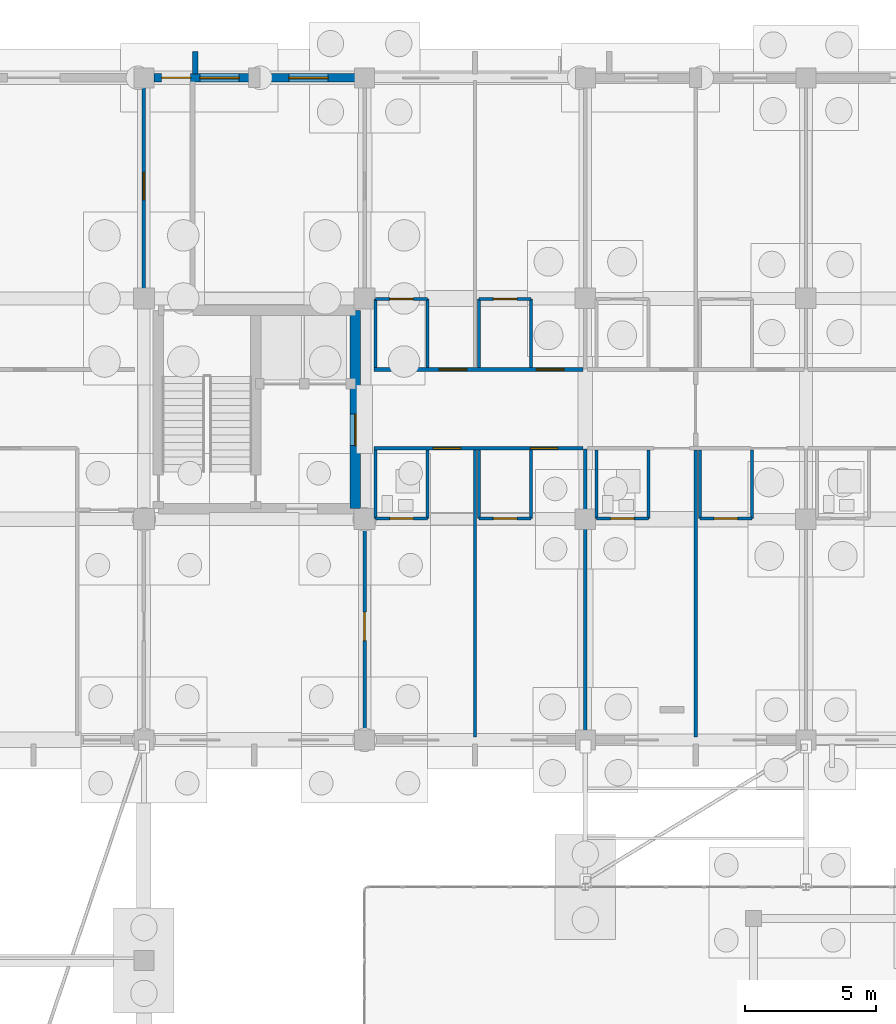
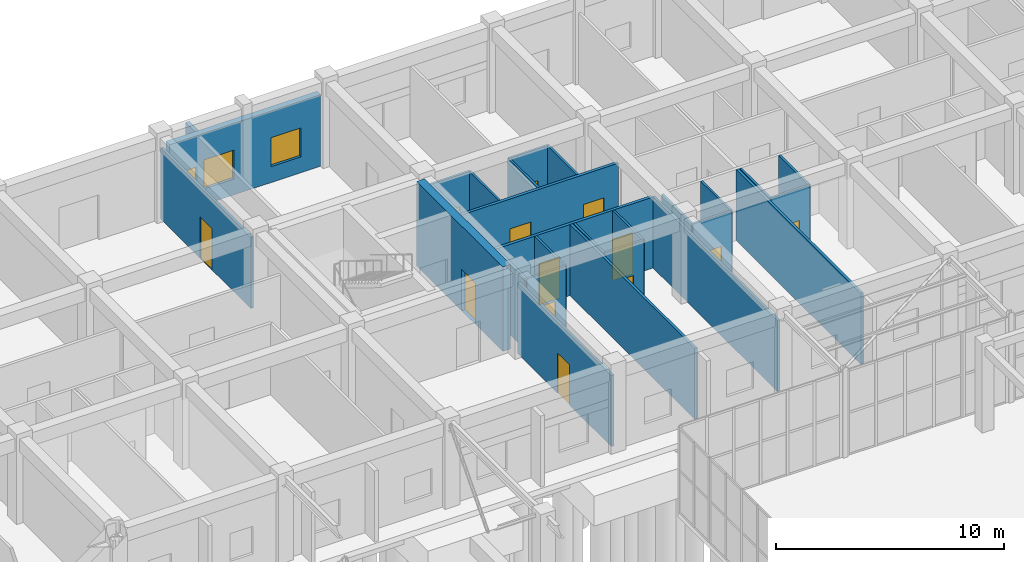
# One storey, part 167 of 192: 28 walls, 14 doors, 2 windows, 16 openings.
"""IFC4 building model written with IfcOpenShell, lengths in metres."""

import ifcopenshell
import ifcopenshell.guid

model = None  # the IFC model being written
_history = None  # IfcOwnerHistory: only IFC2X3 demands one
_inside = {}  # id of a spatial element -> (the spatial element, [elements in it])
_under = {}  # id of a project, library or spatial element -> (it, [spatial elements below it])
_declared = {}  # id of a project -> (the project, [libraries it declares])
_typed = {}  # id of a type object -> (the type object, [elements of that type])
_made_of = {}  # id of a material, layer set ... -> (it, [elements and type objects made of it])


def new_model(schema):
    """Start an empty IFC model of exactly this schema.

    Asked for "IFC4X3", IfcOpenShell would pick the latest addendum, in which some entities
    have other attributes; the version numbers below select the first issue.
    IFC2X3 requires an IfcOwnerHistory on every rooted entity: one is made here for all.
    """
    global model, _history
    if schema == "IFC4X3":
        model = ifcopenshell.file(schema_version=(4, 3, 0, 0))
    else:
        model = ifcopenshell.file(schema=schema)
    _inside.clear()
    _under.clear()
    _declared.clear()
    _typed.clear()
    _made_of.clear()
    _history = None
    if model.schema == "IFC2X3":
        org = make("IfcOrganization", Name="unknown")
        user = make(
            "IfcPersonAndOrganization",
            ThePerson=make("IfcPerson", FamilyName="unknown"),
            TheOrganization=org,
        )
        app = make(
            "IfcApplication",
            ApplicationDeveloper=org,
            Version="unknown",
            ApplicationFullName="unknown",
            ApplicationIdentifier="unknown",
        )
        _history = make(
            "IfcOwnerHistory",
            OwningUser=user,
            OwningApplication=app,
            ChangeAction="ADDED",
            CreationDate=0,
        )
    return model


def make(cls, **values):
    """One entity of the class cls with the attributes given. An attribute that is None is left unset."""
    return model.create_entity(
        cls, **{name: value for name, value in values.items() if value is not None}
    )


def rooted(cls, **values):
    """An entity with a GlobalId (a new one), such as an element, a storey or a relation."""
    return make(cls, GlobalId=ifcopenshell.guid.new(), OwnerHistory=_history, **values)


def si_unit(unit_type, name, prefix=None):
    """IfcSIUnit, for example si_unit("LENGTHUNIT", "METRE", prefix="MILLI")."""
    return make("IfcSIUnit", UnitType=unit_type, Prefix=prefix, Name=name)


def assignment(units):
    """IfcUnitAssignment: the units of a project."""
    return None if units is None else make("IfcUnitAssignment", Units=units)


def point(xyz):
    """IfcCartesianPoint."""
    return None if xyz is None else make("IfcCartesianPoint", Coordinates=xyz)


def direction(xyz):
    """IfcDirection."""
    return None if xyz is None else make("IfcDirection", DirectionRatios=xyz)


def frame(location, z_axis=None, x_axis=None):
    """IfcAxis2Placement3D, a coordinate frame: its origin and axes. An axis left out is left unset."""
    return make(
        "IfcAxis2Placement3D",
        Location=point(location),
        Axis=direction(z_axis),
        RefDirection=direction(x_axis),
    )


def frame_2d(location, x_axis=None):
    """IfcAxis2Placement2D, a coordinate frame in the plane: its origin and x axis."""
    return make(
        "IfcAxis2Placement2D", Location=point(location), RefDirection=direction(x_axis)
    )


def origin():
    """The frame at (0, 0, 0) with its axes left unset."""
    return frame((0.0, 0.0, 0.0))


def place(relative_to, where):
    """IfcLocalPlacement: puts the frame where relative to a parent placement (None: the world)."""
    return make(
        "IfcLocalPlacement", PlacementRelTo=relative_to, RelativePlacement=where
    )


def context(
    kind, dimensions, precision=None, world=None, true_north=None, identifier=None
):
    """IfcGeometricRepresentationContext, for example the 3D "Model" context."""
    return make(
        "IfcGeometricRepresentationContext",
        ContextIdentifier=identifier,
        ContextType=kind,
        CoordinateSpaceDimension=dimensions,
        Precision=precision,
        WorldCoordinateSystem=world,
        TrueNorth=true_north,
    )


def subcontext(parent, identifier, kind, view, scale=None):
    """IfcGeometricRepresentationSubContext, for example "Body" below "Model"."""
    return make(
        "IfcGeometricRepresentationSubContext",
        ContextIdentifier=identifier,
        ContextType=kind,
        ParentContext=parent,
        TargetScale=scale,
        TargetView=view,
    )


def project(units=None, contexts=None):
    """IfcProject with its units and contexts."""
    return rooted(
        "IfcProject",
        Name="project",
        RepresentationContexts=contexts,
        UnitsInContext=assignment(units),
    )


def spatial(cls, under=None, at=None, **own):
    """A site, building, storey or space (cls), placed at a placement, below another one or the project."""
    s = rooted(cls, ObjectPlacement=at, **own)
    if under is not None:
        _under.setdefault(under.id(), (under, []))[1].append(s)
    return s


def profile(cls, at=None, kind="AREA", **sizes):
    """A parametric profile (cls). Its sizes go by their IFC names, for example OverallWidth=200.0."""
    return make(cls, ProfileType=kind, Position=at, **sizes)


def rectangle(**sizes):
    """IfcRectangleProfileDef."""
    return profile("IfcRectangleProfileDef", **sizes)


def extrude(swept, where, along, depth):
    """IfcExtrudedAreaSolid: the profile swept, set in the frame where, extruded along a direction by depth."""
    return make(
        "IfcExtrudedAreaSolid",
        SweptArea=swept,
        Position=where,
        ExtrudedDirection=direction(along),
        Depth=depth,
    )


def shape(context_of_items, identifier, shape_type, items):
    """IfcShapeRepresentation: the items that make up one representation, for example the "Body"."""
    return make(
        "IfcShapeRepresentation",
        ContextOfItems=context_of_items,
        RepresentationIdentifier=identifier,
        RepresentationType=shape_type,
        Items=items,
    )


def material(Name=None, Category=None):
    """IfcMaterial."""
    return make("IfcMaterial", Name=Name, Category=Category)


def layer(
    of_material, thickness, ventilated=None, Name=None, Category=None, Priority=None
):
    """IfcMaterialLayer: one layer of a wall or slab, of a material (None: an air gap)."""
    return make(
        "IfcMaterialLayer",
        Material=of_material,
        LayerThickness=thickness,
        IsVentilated=ventilated,
        Name=Name,
        Category=Category,
        Priority=Priority,
    )


def layer_set(layers, Name=None):
    """IfcMaterialLayerSet."""
    return make("IfcMaterialLayerSet", MaterialLayers=layers, LayerSetName=Name)


def made_of(thing, what):
    """Note that an element or type object is made of a material, layer set ...; save() writes the relation."""
    if what is not None:
        _made_of.setdefault(what.id(), (what, []))[1].append(thing)
    return thing


def type_object(cls, material=None, **own):
    """A type object (cls), such as IfcWallType, which elements share."""
    return made_of(rooted(cls, **own), material)


def element(
    cls,
    number,
    at=None,
    inside=None,
    cuts=None,
    type_object=None,
    material=None,
    context=None,
    identifier="Body",
    shape_type=None,
    held_by="IfcProductDefinitionShape",
    body=None,
    shapes=None,
    **own,
):
    """One element of the class cls, such as IfcWall. Its Tag is "e" and its number.

    at: its placement. inside: the storey or other place that contains it. cuts: it is an
    opening in that element (IfcRelVoidsElement). A single representation is given by context,
    identifier, shape_type and body (its items); several are given by shapes. held_by: the class
    of the entity that holds the representations. save() writes the other relations.
    """
    e = rooted(cls, Tag="e%d" % number, ObjectPlacement=at, **own)
    if body is not None:
        shapes = [shape(context, identifier, shape_type, body)]
    if shapes is not None:
        e.Representation = make(held_by, Representations=shapes)
    if inside is not None:
        _inside.setdefault(inside.id(), (inside, []))[1].append(e)
    if cuts is not None:
        rooted(
            "IfcRelVoidsElement", RelatingBuildingElement=cuts, RelatedOpeningElement=e
        )
    if type_object is not None:
        _typed.setdefault(type_object.id(), (type_object, []))[1].append(e)
    return made_of(e, material)


def fill(opening, filler):
    """IfcRelFillsElement: the door or window that sits in an opening."""
    return rooted(
        "IfcRelFillsElement",
        RelatingOpeningElement=opening,
        RelatedBuildingElement=filler,
    )


def aggregate(whole, parts):
    """IfcRelAggregates: a whole, such as a stair, and the parts it consists of."""
    return rooted("IfcRelAggregates", RelatingObject=whole, RelatedObjects=parts)


def save(model, path):
    """Write the relations noted so far, then the file.

    IfcRelAggregates (storeys below a building ...), IfcRelContainedInSpatialStructure (elements
    in a storey), IfcRelDefinesByType, IfcRelAssociatesMaterial and IfcRelDeclares: one each for
    every whole, place, type object, material and project.
    """
    for whole, parts in _under.values():
        aggregate(whole, parts)
    for where, things in _inside.values():
        rooted(
            "IfcRelContainedInSpatialStructure",
            RelatedElements=things,
            RelatingStructure=where,
        )
    for kind, things in _typed.values():
        rooted("IfcRelDefinesByType", RelatedObjects=things, RelatingType=kind)
    for what, things in _made_of.values():
        rooted("IfcRelAssociatesMaterial", RelatedObjects=things, RelatingMaterial=what)
    for by, libraries in _declared.values():
        rooted("IfcRelDeclares", RelatingContext=by, RelatedDefinitions=libraries)
    model.write(path)


model = new_model("IFC4")

# Units and contexts
model_context = context("Model", 3, precision=1e-05, world=origin(), true_north=direction((0.0, 1.0)))
body_context = subcontext(model_context, "Body", "Model", "MODEL_VIEW")
ifc_project = project(units=[si_unit("LENGTHUNIT", "METRE"), si_unit("AREAUNIT", "SQUARE_METRE"), si_unit("VOLUMEUNIT", "CUBIC_METRE"), si_unit("PLANEANGLEUNIT", "RADIAN"), si_unit("MASSUNIT", "GRAM", prefix="KILO")], contexts=[model_context])

# Site, building, storey
site_placement = place(None, origin())
site = spatial("IfcSite", under=ifc_project, at=site_placement, CompositionType="ELEMENT")
building_placement = place(site_placement, origin())
building = spatial("IfcBuilding", under=site, at=building_placement, Name="Trelvath General Hospital", CompositionType="ELEMENT")
storey_placement = place(building_placement, origin())
storey = spatial("IfcBuildingStorey", under=building, at=storey_placement, Name="L00", CompositionType="ELEMENT", Elevation=0.0)

# Wall
ifc_material_1 = material(Name="Precast concrete C40/50", Category="concrete")
ifc_layer_1 = layer(ifc_material_1, 0.199951171875)
ifc_layer_set_1 = layer_set([ifc_layer_1], Name="Precast concrete C40/50")
wall_type_1 = type_object("IfcWallType", Name="BriseSoleilRib 200", PredefinedType="ELEMENTEDWALL", material=ifc_layer_set_1)
wall_1_placement = place(storey_placement, frame((85.955078125, 117.75, 0.0), z_axis=(0.0, 0.0, 1.0), x_axis=(0.0, 1.0, 0.0)))
element("IfcWall", 1, at=wall_1_placement, inside=storey, type_object=wall_type_1, Name="Precast Concrete Brise-Soleil Rib Fin L00-39", PredefinedType="ELEMENTEDWALL", context=body_context, shape_type="SweptSolid", body=[
    extrude(rectangle(XDim=0.85009765625, YDim=0.199951171875, at=frame_2d((0.425048828125, 0.0))), origin(), (0.0, 0.0, 1.0), 3.800048828125),
])

# Wall, openings, doors
ifc_material_2 = material(Name="Gypsum acoustic steel-stud partition", Category="steel")
ifc_layer_2 = layer(ifc_material_2, 0.14990234375)
ifc_layer_set_2 = layer_set([ifc_layer_2], Name="Gypsum acoustic steel-stud partition")
wall_type_2 = type_object("IfcWallType", Name="ClinicalPartition 150", PredefinedType="PARTITIONING", material=ifc_layer_set_2)
wall_2_placement = place(storey_placement, frame((92.760009765625, 103.5, 0.0), z_axis=(0.0, 0.0, 1.0), x_axis=(1.0, 0.0, 0.0)))
wall_2 = element("IfcWall", 2, at=wall_2_placement, inside=storey, type_object=wall_type_2, Name="Corridor Partition L00-250", PredefinedType="PARTITIONING", context=body_context, shape_type="SweptSolid", body=[
    extrude(rectangle(XDim=7.9599609375, YDim=0.14990234375, at=frame_2d((3.97998046875, 0.0))), origin(), (0.0, 0.0, 1.0), 3.800048828125),
])
opening_1_placement = place(wall_2_placement, frame((2.25, 0.0, 0.0)))
opening_1 = element("IfcOpeningElement", 3, at=opening_1_placement, cuts=wall_2, Name="Opening D-0-0406", PredefinedType="OPENING", context=body_context, shape_type="SweptSolid", body=[
    extrude(rectangle(XDim=1.050048828125, YDim=2.199951171875, at=frame_2d((0.52490234375, 1.10009765625))), frame((0.0, 0.0849609375, 0.0), z_axis=(0.0, -1.0, 0.0), x_axis=(1.0, 0.0, 0.0)), (0.0, 0.0, 1.0), 0.169921875),
])
opening_2_placement = place(wall_2_placement, frame((5.949951171875, 0.0, 0.0)))
opening_2 = element("IfcOpeningElement", 4, at=opening_2_placement, cuts=wall_2, Name="Opening D-0-0407", PredefinedType="OPENING", context=body_context, shape_type="SweptSolid", body=[
    extrude(rectangle(XDim=1.050048828125, YDim=2.199951171875, at=frame_2d((0.52490234375, 1.10009765625))), frame((0.0, 0.0849609375, 0.0), z_axis=(0.0, -1.0, 0.0), x_axis=(1.0, 0.0, 0.0)), (0.0, 0.0, 1.0), 0.169921875),
])
ifc_material_3 = material(Name="Acoustic hospital timber leaf", Category="wood")
door_type_1 = type_object("IfcDoorType", Name="Door Consult 1050x2200", OperationType="NOTDEFINED", PredefinedType="DOOR", material=ifc_material_3)
door_1_placement = place(opening_1_placement, origin())
door_1 = element("IfcDoor", 5, at=door_1_placement, inside=storey, type_object=door_type_1, Name="Patient Room Door L00-406", OperationType="SINGLE_SWING_LEFT", OverallHeight=2.199951171875, OverallWidth=1.050048828125, PredefinedType="DOOR", context=body_context, shape_type="SweptSolid", body=[
    extrude(rectangle(XDim=1.050048828125, YDim=2.199951171875, at=frame_2d((0.52490234375, 1.10009765625))), frame((0.0, 0.02490234375, 0.0), z_axis=(0.0, -1.0, 0.0), x_axis=(1.0, 0.0, 0.0)), (0.0, 0.0, 1.0), 0.050048828125),
])
fill(opening_1, door_1)
door_2_placement = place(opening_2_placement, origin())
door_2 = element("IfcDoor", 6, at=door_2_placement, inside=storey, type_object=door_type_1, Name="Patient Room Door L00-407", OperationType="SINGLE_SWING_RIGHT", OverallHeight=2.199951171875, OverallWidth=1.050048828125, PredefinedType="DOOR", context=body_context, shape_type="SweptSolid", body=[
    extrude(rectangle(XDim=1.050048828125, YDim=2.199951171875, at=frame_2d((0.52490234375, 1.10009765625))), frame((0.0, 0.02490234375, 0.0), z_axis=(0.0, -1.0, 0.0), x_axis=(1.0, 0.0, 0.0)), (0.0, 0.0, 1.0), 0.050048828125),
])
fill(opening_2, door_2)

wall_3_placement = place(storey_placement, frame((100.719970703125, 106.5, 0.0), z_axis=(0.0, 0.0, 1.0), x_axis=(-1.0, 0.0, 0.0)))
wall_3 = element("IfcWall", 7, at=wall_3_placement, inside=storey, type_object=wall_type_2, Name="Corridor Partition N L00-258", PredefinedType="PARTITIONING", context=body_context, shape_type="SweptSolid", body=[
    extrude(rectangle(XDim=7.9599609375, YDim=0.14990234375, at=frame_2d((3.97998046875, 0.0))), origin(), (0.0, 0.0, 1.0), 3.800048828125),
])
opening_3_placement = place(wall_3_placement, frame((0.72998046875, 0.0, 0.0)))
opening_3 = element("IfcOpeningElement", 8, at=opening_3_placement, cuts=wall_3, Name="Opening D-0-0410", PredefinedType="OPENING", context=body_context, shape_type="SweptSolid", body=[
    extrude(rectangle(XDim=1.050048828125, YDim=2.199951171875, at=frame_2d((0.52490234375, 1.10009765625))), frame((0.0, 0.0849609375, 0.0), z_axis=(0.0, -1.0, 0.0), x_axis=(1.0, 0.0, 0.0)), (0.0, 0.0, 1.0), 0.169921875),
])
opening_4_placement = place(wall_3_placement, frame((4.429931640625, 0.0, 0.0)))
opening_4 = element("IfcOpeningElement", 9, at=opening_4_placement, cuts=wall_3, Name="Opening D-0-0411", PredefinedType="OPENING", context=body_context, shape_type="SweptSolid", body=[
    extrude(rectangle(XDim=1.050048828125, YDim=2.199951171875, at=frame_2d((0.52490234375, 1.10009765625))), frame((0.0, 0.0849609375, 0.0), z_axis=(0.0, -1.0, 0.0), x_axis=(1.0, 0.0, 0.0)), (0.0, 0.0, 1.0), 0.169921875),
])
door_3_placement = place(opening_3_placement, origin())
door_3 = element("IfcDoor", 10, at=door_3_placement, inside=storey, type_object=door_type_1, Name="Patient Room Door N L00-410", OperationType="SINGLE_SWING_LEFT", OverallHeight=2.199951171875, OverallWidth=1.050048828125, PredefinedType="DOOR", context=body_context, shape_type="SweptSolid", body=[
    extrude(rectangle(XDim=1.050048828125, YDim=2.199951171875, at=frame_2d((0.52490234375, 1.10009765625))), frame((0.0, 0.02490234375, 0.0), z_axis=(0.0, -1.0, 0.0), x_axis=(1.0, 0.0, 0.0)), (0.0, 0.0, 1.0), 0.050048828125),
])
fill(opening_3, door_3)
door_4_placement = place(opening_4_placement, origin())
door_4 = element("IfcDoor", 11, at=door_4_placement, inside=storey, type_object=door_type_1, Name="Patient Room Door N L00-411", OperationType="SINGLE_SWING_LEFT", OverallHeight=2.199951171875, OverallWidth=1.050048828125, PredefinedType="DOOR", context=body_context, shape_type="SweptSolid", body=[
    extrude(rectangle(XDim=1.050048828125, YDim=2.199951171875, at=frame_2d((0.52490234375, 1.10009765625))), frame((0.0, 0.02490234375, 0.0), z_axis=(0.0, -1.0, 0.0), x_axis=(1.0, 0.0, 0.0)), (0.0, 0.0, 1.0), 0.050048828125),
])
fill(opening_4, door_4)

# Wall, opening, door
ifc_material_4 = material(Name="Concrete C40/50", Category="concrete")
ifc_layer_3 = layer(ifc_material_4, 0.39990234375)
ifc_layer_set_3 = layer_set([ifc_layer_3], Name="Concrete C40/50")
wall_type_3 = type_object("IfcWallType", Name="CoreShearWall 400", PredefinedType="SHEAR", material=ifc_layer_set_3)
wall_4_placement = place(storey_placement, frame((92.050048828125, 101.199951171875, 0.0), z_axis=(0.0, 0.0, 1.0), x_axis=(0.0, 1.0, 0.0)))
wall_4 = element("IfcWall", 12, at=wall_4_placement, inside=storey, type_object=wall_type_3, Name="Core Shear Wall C2 E L00", PredefinedType="SHEAR", context=body_context, shape_type="SweptSolid", body=[
    extrude(rectangle(XDim=7.550048828125, YDim=0.39990234375, at=frame_2d((3.77490234375, 0.0))), origin(), (0.0, 0.0, 1.0), 4.52001953125),
])
opening_5_placement = place(wall_4_placement, frame((2.39990234375, 0.0, 0.0)))
opening_5 = element("IfcOpeningElement", 13, at=opening_5_placement, cuts=wall_4, Name="Opening FD-LE20", PredefinedType="OPENING", context=body_context, shape_type="SweptSolid", body=[
    extrude(rectangle(XDim=1.199951171875, YDim=2.199951171875, at=frame_2d((0.60009765625, 1.10009765625))), frame((0.0, 0.2099609375, 0.0), z_axis=(0.0, -1.0, 0.0), x_axis=(1.0, 0.0, 0.0)), (0.0, 0.0, 1.0), 0.419921875),
])
ifc_material_5 = material(Name="Fire-rated steel door", Category="steel")
door_type_2 = type_object("IfcDoorType", Name="Door FireLobby 1200x2200", OperationType="NOTDEFINED", PredefinedType="DOOR", material=ifc_material_5)
door_5_placement = place(opening_5_placement, origin())
door_5 = element("IfcDoor", 14, at=door_5_placement, inside=storey, type_object=door_type_2, Name="Fire Lobby East Corridor Door C2 L00", OperationType="SINGLE_SWING_LEFT", OverallHeight=2.199951171875, OverallWidth=1.199951171875, PredefinedType="DOOR", context=body_context, shape_type="SweptSolid", body=[
    extrude(rectangle(XDim=1.199951171875, YDim=2.199951171875, at=frame_2d((0.60009765625, 1.10009765625))), frame((0.0, 0.02490234375, 0.0), z_axis=(0.0, -1.0, 0.0), x_axis=(1.0, 0.0, 0.0)), (0.0, 0.0, 1.0), 0.050048828125),
])
fill(opening_5, door_5)

# Walls
ifc_material_6 = material(Name="Moisture-resistant tile partition")
ifc_layer_4 = layer(ifc_material_6, 0.110107421875)
ifc_layer_set_4 = layer_set([ifc_layer_4], Name="Moisture-resistant tile partition")
wall_type_4 = type_object("IfcWallType", Name="EnSuiteWetWall 110", PredefinedType="PARTITIONING", material=ifc_layer_set_4)
for number, where, z_axis, x_axis, name in (
    (15, (92.820068359375, 100.820068359375, 0.0), (0.0, 0.0, 1.0), (0.0, 1.0, 0.0), "En-Suite W Wall L00-252"),
    (16, (94.800048828125, 100.820068359375, 0.0), (0.0, 0.0, 1.0), (0.0, 1.0, 0.0), "En-Suite E Wall L00-253"),
):
    element("IfcWall", number, at=place(storey_placement, frame(where, z_axis=z_axis, x_axis=x_axis)), inside=storey, type_object=wall_type_4, Name=name, PredefinedType="PARTITIONING", context=body_context, shape_type="SweptSolid", body=[
        extrude(rectangle(XDim=2.60986328125, YDim=0.110107421875, at=frame_2d((1.304931640625, 0.0))), origin(), (0.0, 0.0, 1.0), 3.800048828125),
    ])

# Wall, opening, door
wall_5_placement = place(storey_placement, frame((92.820068359375, 100.820068359375, 0.0), z_axis=(0.0, 0.0, 1.0), x_axis=(1.0, 0.0, 0.0)))
wall_5 = element("IfcWall", 17, at=wall_5_placement, inside=storey, type_object=wall_type_4, Name="En-Suite Bathroom Partition L00-254", PredefinedType="PARTITIONING", context=body_context, shape_type="SweptSolid", body=[
    extrude(rectangle(XDim=1.97998046875, YDim=0.110107421875, at=frame_2d((0.989990234375, 0.0))), origin(), (0.0, 0.0, 1.0), 3.800048828125),
])
opening_6_placement = place(wall_5_placement, frame((0.5400390625, 0.0, 0.0)))
opening_6 = element("IfcOpeningElement", 18, at=opening_6_placement, cuts=wall_5, Name="Opening D-0-0408", PredefinedType="OPENING", context=body_context, shape_type="SweptSolid", body=[
    extrude(rectangle(XDim=0.89990234375, YDim=2.10009765625, at=frame_2d((0.449951171875, 1.050048828125))), frame((0.0, 0.06494140625, 0.0), z_axis=(0.0, -1.0, 0.0), x_axis=(1.0, 0.0, 0.0)), (0.0, 0.0, 1.0), 0.130126953125),
])
ifc_material_7 = material(Name="Moisture-sealed timber leaf", Category="wood")
door_type_3 = type_object("IfcDoorType", Name="Door EnSuite 900x2100", OperationType="NOTDEFINED", PredefinedType="DOOR", material=ifc_material_7)
door_6_placement = place(opening_6_placement, origin())
door_6 = element("IfcDoor", 19, at=door_6_placement, inside=storey, type_object=door_type_3, Name="En-Suite Bathroom Door L00-408", OperationType="SINGLE_SWING_LEFT", OverallHeight=2.10009765625, OverallWidth=0.89990234375, PredefinedType="DOOR", context=body_context, shape_type="SweptSolid", body=[
    extrude(rectangle(XDim=0.89990234375, YDim=2.10009765625, at=frame_2d((0.449951171875, 1.050048828125))), frame((0.0, 0.02490234375, 0.0), z_axis=(0.0, -1.0, 0.0), x_axis=(1.0, 0.0, 0.0)), (0.0, 0.0, 1.0), 0.050048828125),
])
fill(opening_6, door_6)

# Walls
for number, where, z_axis, x_axis, name in (
    (20, (96.760009765625, 100.820068359375, 0.0), (0.0, 0.0, 1.0), (0.0, 1.0, 0.0), "En-Suite W Wall L00-255"),
    (21, (98.739990234375, 100.820068359375, 0.0), (0.0, 0.0, 1.0), (0.0, 1.0, 0.0), "En-Suite E Wall L00-256"),
):
    element("IfcWall", number, at=place(storey_placement, frame(where, z_axis=z_axis, x_axis=x_axis)), inside=storey, type_object=wall_type_4, Name=name, PredefinedType="PARTITIONING", context=body_context, shape_type="SweptSolid", body=[
        extrude(rectangle(XDim=2.60986328125, YDim=0.110107421875, at=frame_2d((1.304931640625, 0.0))), origin(), (0.0, 0.0, 1.0), 3.800048828125),
    ])

# Wall, opening, door
wall_6_placement = place(storey_placement, frame((96.760009765625, 100.820068359375, 0.0), z_axis=(0.0, 0.0, 1.0), x_axis=(1.0, 0.0, 0.0)))
wall_6 = element("IfcWall", 22, at=wall_6_placement, inside=storey, type_object=wall_type_4, Name="En-Suite Bathroom Partition L00-257", PredefinedType="PARTITIONING", context=body_context, shape_type="SweptSolid", body=[
    extrude(rectangle(XDim=1.97998046875, YDim=0.110107421875, at=frame_2d((0.989990234375, 0.0))), origin(), (0.0, 0.0, 1.0), 3.800048828125),
])
opening_7_placement = place(wall_6_placement, frame((0.5400390625, 0.0, 0.0)))
opening_7 = element("IfcOpeningElement", 23, at=opening_7_placement, cuts=wall_6, Name="Opening D-0-0409", PredefinedType="OPENING", context=body_context, shape_type="SweptSolid", body=[
    extrude(rectangle(XDim=0.89990234375, YDim=2.10009765625, at=frame_2d((0.449951171875, 1.050048828125))), frame((0.0, 0.06494140625, 0.0), z_axis=(0.0, -1.0, 0.0), x_axis=(1.0, 0.0, 0.0)), (0.0, 0.0, 1.0), 0.130126953125),
])
door_7_placement = place(opening_7_placement, origin())
door_7 = element("IfcDoor", 24, at=door_7_placement, inside=storey, type_object=door_type_3, Name="En-Suite Bathroom Door L00-409", OperationType="SINGLE_SWING_RIGHT", OverallHeight=2.10009765625, OverallWidth=0.89990234375, PredefinedType="DOOR", context=body_context, shape_type="SweptSolid", body=[
    extrude(rectangle(XDim=0.89990234375, YDim=2.10009765625, at=frame_2d((0.449951171875, 1.050048828125))), frame((0.0, 0.02490234375, 0.0), z_axis=(0.0, -1.0, 0.0), x_axis=(1.0, 0.0, 0.0)), (0.0, 0.0, 1.0), 0.050048828125),
])
fill(opening_7, door_7)

# Walls
for number, where, z_axis, x_axis, name in (
    (25, (92.820068359375, 106.570068359375, 0.0), (0.0, 0.0, 1.0), (0.0, 1.0, 0.0), "En-Suite W Wall N L00-260"),
    (26, (94.800048828125, 106.570068359375, 0.0), (0.0, 0.0, 1.0), (0.0, 1.0, 0.0), "En-Suite E Wall N L00-261"),
):
    element("IfcWall", number, at=place(storey_placement, frame(where, z_axis=z_axis, x_axis=x_axis)), inside=storey, type_object=wall_type_4, Name=name, PredefinedType="PARTITIONING", context=body_context, shape_type="SweptSolid", body=[
        extrude(rectangle(XDim=2.60986328125, YDim=0.110107421875, at=frame_2d((1.304931640625, 0.0))), origin(), (0.0, 0.0, 1.0), 3.800048828125),
    ])

# Wall, opening, door
wall_7_placement = place(storey_placement, frame((92.820068359375, 109.179931640625, 0.0), z_axis=(0.0, 0.0, 1.0), x_axis=(1.0, 0.0, 0.0)))
wall_7 = element("IfcWall", 27, at=wall_7_placement, inside=storey, type_object=wall_type_4, Name="En-Suite Bathroom N Partition L00-262", PredefinedType="PARTITIONING", context=body_context, shape_type="SweptSolid", body=[
    extrude(rectangle(XDim=1.97998046875, YDim=0.110107421875, at=frame_2d((0.989990234375, 0.0))), origin(), (0.0, 0.0, 1.0), 3.800048828125),
])
opening_8_placement = place(wall_7_placement, frame((0.5400390625, 0.0, 0.0)))
opening_8 = element("IfcOpeningElement", 28, at=opening_8_placement, cuts=wall_7, Name="Opening D-0-0412", PredefinedType="OPENING", context=body_context, shape_type="SweptSolid", body=[
    extrude(rectangle(XDim=0.89990234375, YDim=2.10009765625, at=frame_2d((0.449951171875, 1.050048828125))), frame((0.0, 0.06494140625, 0.0), z_axis=(0.0, -1.0, 0.0), x_axis=(1.0, 0.0, 0.0)), (0.0, 0.0, 1.0), 0.130126953125),
])
door_8_placement = place(opening_8_placement, origin())
door_8 = element("IfcDoor", 29, at=door_8_placement, inside=storey, type_object=door_type_3, Name="En-Suite Bathroom N Door L00-412", OperationType="SINGLE_SWING_RIGHT", OverallHeight=2.10009765625, OverallWidth=0.89990234375, PredefinedType="DOOR", context=body_context, shape_type="SweptSolid", body=[
    extrude(rectangle(XDim=0.89990234375, YDim=2.10009765625, at=frame_2d((0.449951171875, 1.050048828125))), frame((0.0, 0.02490234375, 0.0), z_axis=(0.0, -1.0, 0.0), x_axis=(1.0, 0.0, 0.0)), (0.0, 0.0, 1.0), 0.050048828125),
])
fill(opening_8, door_8)

# Walls
for number, where, z_axis, x_axis, name in (
    (30, (96.760009765625, 106.570068359375, 0.0), (0.0, 0.0, 1.0), (0.0, 1.0, 0.0), "En-Suite W Wall N L00-263"),
    (31, (98.739990234375, 106.570068359375, 0.0), (0.0, 0.0, 1.0), (0.0, 1.0, 0.0), "En-Suite E Wall N L00-264"),
):
    element("IfcWall", number, at=place(storey_placement, frame(where, z_axis=z_axis, x_axis=x_axis)), inside=storey, type_object=wall_type_4, Name=name, PredefinedType="PARTITIONING", context=body_context, shape_type="SweptSolid", body=[
        extrude(rectangle(XDim=2.60986328125, YDim=0.110107421875, at=frame_2d((1.304931640625, 0.0))), origin(), (0.0, 0.0, 1.0), 3.800048828125),
    ])

# Wall, opening, door
wall_8_placement = place(storey_placement, frame((96.760009765625, 109.179931640625, 0.0), z_axis=(0.0, 0.0, 1.0), x_axis=(1.0, 0.0, 0.0)))
wall_8 = element("IfcWall", 32, at=wall_8_placement, inside=storey, type_object=wall_type_4, Name="En-Suite Bathroom N Partition L00-265", PredefinedType="PARTITIONING", context=body_context, shape_type="SweptSolid", body=[
    extrude(rectangle(XDim=1.97998046875, YDim=0.110107421875, at=frame_2d((0.989990234375, 0.0))), origin(), (0.0, 0.0, 1.0), 3.800048828125),
])
opening_9_placement = place(wall_8_placement, frame((0.5400390625, 0.0, 0.0)))
opening_9 = element("IfcOpeningElement", 33, at=opening_9_placement, cuts=wall_8, Name="Opening D-0-0413", PredefinedType="OPENING", context=body_context, shape_type="SweptSolid", body=[
    extrude(rectangle(XDim=0.89990234375, YDim=2.10009765625, at=frame_2d((0.449951171875, 1.050048828125))), frame((0.0, 0.06494140625, 0.0), z_axis=(0.0, -1.0, 0.0), x_axis=(1.0, 0.0, 0.0)), (0.0, 0.0, 1.0), 0.130126953125),
])
door_9_placement = place(opening_9_placement, origin())
door_9 = element("IfcDoor", 34, at=door_9_placement, inside=storey, type_object=door_type_3, Name="En-Suite Bathroom N Door L00-413", OperationType="SINGLE_SWING_LEFT", OverallHeight=2.10009765625, OverallWidth=0.89990234375, PredefinedType="DOOR", context=body_context, shape_type="SweptSolid", body=[
    extrude(rectangle(XDim=0.89990234375, YDim=2.10009765625, at=frame_2d((0.449951171875, 1.050048828125))), frame((0.0, 0.02490234375, 0.0), z_axis=(0.0, -1.0, 0.0), x_axis=(1.0, 0.0, 0.0)), (0.0, 0.0, 1.0), 0.050048828125),
])
fill(opening_9, door_9)

# Walls
for number, where, z_axis, x_axis, name in (
    (35, (101.219970703125, 100.820068359375, 0.0), (0.0, 0.0, 1.0), (0.0, 1.0, 0.0), "En-Suite W Wall L00-270"),
    (36, (103.199951171875, 100.820068359375, 0.0), (0.0, 0.0, 1.0), (0.0, 1.0, 0.0), "En-Suite E Wall L00-271"),
):
    element("IfcWall", number, at=place(storey_placement, frame(where, z_axis=z_axis, x_axis=x_axis)), inside=storey, type_object=wall_type_4, Name=name, PredefinedType="PARTITIONING", context=body_context, shape_type="SweptSolid", body=[
        extrude(rectangle(XDim=2.60986328125, YDim=0.110107421875, at=frame_2d((1.304931640625, 0.0))), origin(), (0.0, 0.0, 1.0), 3.800048828125),
    ])

# Wall, opening, door
wall_9_placement = place(storey_placement, frame((101.219970703125, 100.820068359375, 0.0), z_axis=(0.0, 0.0, 1.0), x_axis=(1.0, 0.0, 0.0)))
wall_9 = element("IfcWall", 37, at=wall_9_placement, inside=storey, type_object=wall_type_4, Name="En-Suite Bathroom Partition L00-272", PredefinedType="PARTITIONING", context=body_context, shape_type="SweptSolid", body=[
    extrude(rectangle(XDim=1.97998046875, YDim=0.110107421875, at=frame_2d((0.989990234375, 0.0))), origin(), (0.0, 0.0, 1.0), 3.800048828125),
])
opening_10_placement = place(wall_9_placement, frame((0.5400390625, 0.0, 0.0)))
opening_10 = element("IfcOpeningElement", 38, at=opening_10_placement, cuts=wall_9, Name="Opening D-0-0416", PredefinedType="OPENING", context=body_context, shape_type="SweptSolid", body=[
    extrude(rectangle(XDim=0.89990234375, YDim=2.10009765625, at=frame_2d((0.449951171875, 1.050048828125))), frame((0.0, 0.06494140625, 0.0), z_axis=(0.0, -1.0, 0.0), x_axis=(1.0, 0.0, 0.0)), (0.0, 0.0, 1.0), 0.130126953125),
])
door_10_placement = place(opening_10_placement, origin())
door_10 = element("IfcDoor", 39, at=door_10_placement, inside=storey, type_object=door_type_3, Name="En-Suite Bathroom Door L00-416", OperationType="SINGLE_SWING_RIGHT", OverallHeight=2.10009765625, OverallWidth=0.89990234375, PredefinedType="DOOR", context=body_context, shape_type="SweptSolid", body=[
    extrude(rectangle(XDim=0.89990234375, YDim=2.10009765625, at=frame_2d((0.449951171875, 1.050048828125))), frame((0.0, 0.02490234375, 0.0), z_axis=(0.0, -1.0, 0.0), x_axis=(1.0, 0.0, 0.0)), (0.0, 0.0, 1.0), 0.050048828125),
])
fill(opening_10, door_10)

# Walls
for number, where, z_axis, x_axis, name in (
    (40, (105.159912109375, 100.820068359375, 0.0), (0.0, 0.0, 1.0), (0.0, 1.0, 0.0), "En-Suite W Wall L00-273"),
    (41, (107.139892578125, 100.820068359375, 0.0), (0.0, 0.0, 1.0), (0.0, 1.0, 0.0), "En-Suite E Wall L00-274"),
):
    element("IfcWall", number, at=place(storey_placement, frame(where, z_axis=z_axis, x_axis=x_axis)), inside=storey, type_object=wall_type_4, Name=name, PredefinedType="PARTITIONING", context=body_context, shape_type="SweptSolid", body=[
        extrude(rectangle(XDim=2.60986328125, YDim=0.110107421875, at=frame_2d((1.304931640625, 0.0))), origin(), (0.0, 0.0, 1.0), 3.800048828125),
    ])

# Wall, opening, door
wall_10_placement = place(storey_placement, frame((105.159912109375, 100.820068359375, 0.0), z_axis=(0.0, 0.0, 1.0), x_axis=(1.0, 0.0, 0.0)))
wall_10 = element("IfcWall", 42, at=wall_10_placement, inside=storey, type_object=wall_type_4, Name="En-Suite Bathroom Partition L00-275", PredefinedType="PARTITIONING", context=body_context, shape_type="SweptSolid", body=[
    extrude(rectangle(XDim=1.97998046875, YDim=0.110107421875, at=frame_2d((0.989990234375, 0.0))), origin(), (0.0, 0.0, 1.0), 3.800048828125),
])
opening_11_placement = place(wall_10_placement, frame((0.5400390625, 0.0, 0.0)))
opening_11 = element("IfcOpeningElement", 43, at=opening_11_placement, cuts=wall_10, Name="Opening D-0-0417", PredefinedType="OPENING", context=body_context, shape_type="SweptSolid", body=[
    extrude(rectangle(XDim=0.89990234375, YDim=2.10009765625, at=frame_2d((0.449951171875, 1.050048828125))), frame((0.0, 0.06494140625, 0.0), z_axis=(0.0, -1.0, 0.0), x_axis=(1.0, 0.0, 0.0)), (0.0, 0.0, 1.0), 0.130126953125),
])
door_11_placement = place(opening_11_placement, origin())
door_11 = element("IfcDoor", 44, at=door_11_placement, inside=storey, type_object=door_type_3, Name="En-Suite Bathroom Door L00-417", OperationType="SINGLE_SWING_LEFT", OverallHeight=2.10009765625, OverallWidth=0.89990234375, PredefinedType="DOOR", context=body_context, shape_type="SweptSolid", body=[
    extrude(rectangle(XDim=0.89990234375, YDim=2.10009765625, at=frame_2d((0.449951171875, 1.050048828125))), frame((0.0, 0.02490234375, 0.0), z_axis=(0.0, -1.0, 0.0), x_axis=(1.0, 0.0, 0.0)), (0.0, 0.0, 1.0), 0.050048828125),
])
fill(opening_11, door_11)

# Wall, openings, door, windows
ifc_material_8 = material(Name="Concrete C35/45", Category="concrete")
ifc_layer_5 = layer(ifc_material_8, 0.320068359375)
ifc_layer_set_5 = layer_set([ifc_layer_5], Name="Concrete C35/45")
wall_type_5 = type_object("IfcWallType", Name="ExtThermalWall 320", PredefinedType="SOLIDWALL", material=ifc_layer_set_5)
wall_11_placement = place(storey_placement, frame((84.375, 117.60009765625, 0.0), z_axis=(0.0, 0.0, 1.0), x_axis=(1.0, 0.0, 0.0)))
wall_11 = element("IfcWall", 45, at=wall_11_placement, inside=storey, type_object=wall_type_5, Name="Exterior Concrete Wall L00-63", PredefinedType="SOLIDWALL", context=body_context, shape_type="SweptSolid", body=[
    extrude(rectangle(XDim=7.64990234375, YDim=0.320068359375, at=frame_2d((3.824951171875, 0.0))), origin(), (0.0, 0.0, 1.0), 3.820068359375),
])
opening_12_placement = place(wall_11_placement, frame((0.300048828125, 0.0, 0.0)))
opening_12 = element("IfcOpeningElement", 46, at=opening_12_placement, cuts=wall_11, Name="Opening E-ST2", PredefinedType="OPENING", context=body_context, shape_type="SweptSolid", body=[
    extrude(rectangle(XDim=1.10009765625, YDim=2.14990234375, at=frame_2d((0.550048828125, 1.074951171875))), frame((0.0, 0.169921875, 0.0), z_axis=(0.0, -1.0, 0.0), x_axis=(1.0, 0.0, 0.0)), (0.0, 0.0, 1.0), 0.340087890625),
])
opening_13_placement = place(wall_11_placement, frame((1.75, 0.0, 0.85009765625)))
opening_13 = element("IfcOpeningElement", 47, at=opening_13_placement, cuts=wall_11, Name="Opening WN-0-085", PredefinedType="OPENING", context=body_context, shape_type="SweptSolid", body=[
    extrude(rectangle(XDim=1.5, YDim=1.550048828125, at=frame_2d((0.75, 0.77490234375))), frame((0.0, 0.169921875, 0.0), z_axis=(0.0, -1.0, 0.0), x_axis=(1.0, 0.0, 0.0)), (0.0, 0.0, 1.0), 0.340087890625),
])
opening_14_placement = place(wall_11_placement, frame((5.140380859375, 0.0, 0.85009765625)))
opening_14 = element("IfcOpeningElement", 48, at=opening_14_placement, cuts=wall_11, Name="Opening WN-0-086", PredefinedType="OPENING", context=body_context, shape_type="SweptSolid", body=[
    extrude(rectangle(XDim=1.5, YDim=1.550048828125, at=frame_2d((0.75, 0.77490234375))), frame((0.0, 0.169921875, 0.0), z_axis=(0.0, -1.0, 0.0), x_axis=(1.0, 0.0, 0.0)), (0.0, 0.0, 1.0), 0.340087890625),
])
ifc_material_9 = material(Name="Fire-rated steel door", Category="steel")
door_type_4 = type_object("IfcDoorType", Name="Door FireStair 1100x2150", OperationType="NOTDEFINED", PredefinedType="DOOR", material=ifc_material_9)
door_12_placement = place(opening_12_placement, origin())
door_12 = element("IfcDoor", 49, at=door_12_placement, inside=storey, type_object=door_type_4, Name="Pedestrian Final Exit Discharge Door E-ST2", OperationType="SINGLE_SWING_LEFT", OverallHeight=2.14990234375, OverallWidth=1.10009765625, PredefinedType="DOOR", context=body_context, shape_type="SweptSolid", body=[
    extrude(rectangle(XDim=1.10009765625, YDim=2.14990234375, at=frame_2d((0.550048828125, 1.074951171875))), frame((0.0, 0.02490234375, 0.0), z_axis=(0.0, -1.0, 0.0), x_axis=(1.0, 0.0, 0.0)), (0.0, 0.0, 1.0), 0.050048828125),
])
fill(opening_12, door_12)
ifc_material_10 = material(Name="Low-E laminated glass", Category="glass")
window_type = type_object("IfcWindowType", Name="Window Ortho 1500x1550", PartitioningType="DOUBLE_PANEL_VERTICAL", PredefinedType="WINDOW", material=ifc_material_10)
window_1_placement = place(opening_13_placement, origin())
window_1 = element("IfcWindow", 50, at=window_1_placement, inside=storey, type_object=window_type, Name="Solar Reveal Window L00-85", OverallHeight=1.550048828125, OverallWidth=1.5, PartitioningType="SINGLE_PANEL", PredefinedType="WINDOW", context=body_context, shape_type="SweptSolid", body=[
    extrude(rectangle(XDim=1.5, YDim=1.550048828125, at=frame_2d((0.75, 0.77490234375))), frame((0.0, 0.030029296875, 0.0), z_axis=(0.0, -1.0, 0.0), x_axis=(1.0, 0.0, 0.0)), (0.0, 0.0, 1.0), 0.06005859375),
])
fill(opening_13, window_1)
window_2_placement = place(opening_14_placement, origin())
window_2 = element("IfcWindow", 51, at=window_2_placement, inside=storey, type_object=window_type, Name="Solar Reveal Window L00-86", OverallHeight=1.550048828125, OverallWidth=1.5, PartitioningType="SINGLE_PANEL", PredefinedType="WINDOW", context=body_context, shape_type="SweptSolid", body=[
    extrude(rectangle(XDim=1.5, YDim=1.550048828125, at=frame_2d((0.75, 0.77490234375))), frame((0.0, 0.030029296875, 0.0), z_axis=(0.0, -1.0, 0.0), x_axis=(1.0, 0.0, 0.0)), (0.0, 0.0, 1.0), 0.06005859375),
])
fill(opening_14, window_2)

# Wall, opening, door
ifc_material_11 = material(Name="Gypsum acoustic steel-stud partition", Category="steel")
ifc_layer_6 = layer(ifc_material_11, 0.1298828125)
ifc_layer_set_6 = layer_set([ifc_layer_6], Name="Gypsum acoustic steel-stud partition")
wall_type_6 = type_object("IfcWallType", Name="WardPartition 130", PredefinedType="PARTITIONING", material=ifc_layer_set_6)
wall_12_placement = place(storey_placement, frame((84.0, 109.550048828125, 0.0), z_axis=(0.0, 0.0, 1.0), x_axis=(0.0, 1.0, 0.0)))
wall_12 = element("IfcWall", 52, at=wall_12_placement, inside=storey, type_object=wall_type_6, Name="Inter-Bay Ward Partition N L00-246", PredefinedType="PARTITIONING", context=body_context, shape_type="SweptSolid", body=[
    extrude(rectangle(XDim=7.909912109375, YDim=0.1298828125, at=frame_2d((3.955078125, 0.0))), origin(), (0.0, 0.0, 1.0), 3.800048828125),
])
opening_15_placement = place(wall_12_placement, frame((3.39990234375, 0.0, 0.0)))
opening_15 = element("IfcOpeningElement", 53, at=opening_15_placement, cuts=wall_12, Name="Opening D-0-0403", PredefinedType="OPENING", context=body_context, shape_type="SweptSolid", body=[
    extrude(rectangle(XDim=1.050048828125, YDim=2.199951171875, at=frame_2d((0.52490234375, 1.10009765625))), frame((0.0, 0.074951171875, 0.0), z_axis=(0.0, -1.0, 0.0), x_axis=(1.0, 0.0, 0.0)), (0.0, 0.0, 1.0), 0.14990234375),
])
door_13_placement = place(opening_15_placement, origin())
door_13 = element("IfcDoor", 54, at=door_13_placement, inside=storey, type_object=door_type_1, Name="Consultation Connecting Door L00-403", OperationType="SINGLE_SWING_RIGHT", OverallHeight=2.199951171875, OverallWidth=1.050048828125, PredefinedType="DOOR", context=body_context, shape_type="SweptSolid", body=[
    extrude(rectangle(XDim=1.050048828125, YDim=2.199951171875, at=frame_2d((0.52490234375, 1.10009765625))), frame((0.0, 0.02490234375, 0.0), z_axis=(0.0, -1.0, 0.0), x_axis=(1.0, 0.0, 0.0)), (0.0, 0.0, 1.0), 0.050048828125),
])
fill(opening_15, door_13)

wall_13_placement = place(storey_placement, frame((92.39990234375, 92.5400390625, 0.0), z_axis=(0.0, 0.0, 1.0), x_axis=(0.0, 1.0, 0.0)))
wall_13 = element("IfcWall", 55, at=wall_13_placement, inside=storey, type_object=wall_type_6, Name="Inter-Bay Ward Partition S L00-248", PredefinedType="PARTITIONING", context=body_context, shape_type="SweptSolid", body=[
    extrude(rectangle(XDim=8.2099609375, YDim=0.1298828125, at=frame_2d((4.10498046875, 0.0))), origin(), (0.0, 0.0, 1.0), 3.800048828125),
])
opening_16_placement = place(wall_13_placement, frame((3.639892578125, 0.0, 0.0)))
opening_16 = element("IfcOpeningElement", 56, at=opening_16_placement, cuts=wall_13, Name="Opening D-0-0404", PredefinedType="OPENING", context=body_context, shape_type="SweptSolid", body=[
    extrude(rectangle(XDim=1.080078125, YDim=2.14990234375, at=frame_2d((0.5400390625, 1.074951171875))), frame((0.0, 0.074951171875, 0.0), z_axis=(0.0, -1.0, 0.0), x_axis=(1.0, 0.0, 0.0)), (0.0, 0.0, 1.0), 0.14990234375),
])
ifc_material_12 = material(Name="Acoustic hospital timber leaf", Category="wood")
door_type_5 = type_object("IfcDoorType", Name="Door CleanSupply 1080x2150", OperationType="NOTDEFINED", PredefinedType="DOOR", material=ifc_material_12)
door_14_placement = place(opening_16_placement, origin())
door_14 = element("IfcDoor", 57, at=door_14_placement, inside=storey, type_object=door_type_5, Name="Clean Supply Connecting Door L00-404", OperationType="SINGLE_SWING_LEFT", OverallHeight=2.14990234375, OverallWidth=1.080078125, PredefinedType="DOOR", context=body_context, shape_type="SweptSolid", body=[
    extrude(rectangle(XDim=1.080078125, YDim=2.14990234375, at=frame_2d((0.5400390625, 1.074951171875))), frame((0.0, 0.02490234375, 0.0), z_axis=(0.0, -1.0, 0.0), x_axis=(1.0, 0.0, 0.0)), (0.0, 0.0, 1.0), 0.050048828125),
])
fill(opening_16, door_14)

# Walls
wall_14_placement = place(storey_placement, frame((96.60009765625, 92.5, 0.0), z_axis=(0.0, 0.0, 1.0), x_axis=(0.0, 1.0, 0.0)))
element("IfcWall", 58, at=wall_14_placement, inside=storey, type_object=wall_type_6, Name="Room Dividing Partition S L00-251", PredefinedType="PARTITIONING", context=body_context, shape_type="SweptSolid", body=[
    extrude(rectangle(XDim=10.929931640625, YDim=0.1298828125, at=frame_2d((5.46484375, 0.0))), origin(), (0.0, 0.0, 1.0), 3.800048828125),
])
wall_15_placement = place(storey_placement, frame((100.800048828125, 92.5400390625, 0.0), z_axis=(0.0, 0.0, 1.0), x_axis=(0.0, 1.0, 0.0)))
element("IfcWall", 59, at=wall_15_placement, inside=storey, type_object=wall_type_6, Name="Inter-Bay Ward Partition S L00-266", PredefinedType="PARTITIONING", context=body_context, shape_type="SweptSolid", body=[
    extrude(rectangle(XDim=10.93994140625, YDim=0.1298828125, at=frame_2d((5.469970703125, 0.0))), origin(), (0.0, 0.0, 1.0), 3.800048828125),
])
wall_16_placement = place(storey_placement, frame((105.0, 92.5, 0.0), z_axis=(0.0, 0.0, 1.0), x_axis=(0.0, 1.0, 0.0)))
element("IfcWall", 60, at=wall_16_placement, inside=storey, type_object=wall_type_6, Name="Room Dividing Partition S L00-269", PredefinedType="PARTITIONING", context=body_context, shape_type="SweptSolid", body=[
    extrude(rectangle(XDim=10.929931640625, YDim=0.1298828125, at=frame_2d((5.46484375, 0.0))), origin(), (0.0, 0.0, 1.0), 3.800048828125),
])

save(model, "model.ifc")
